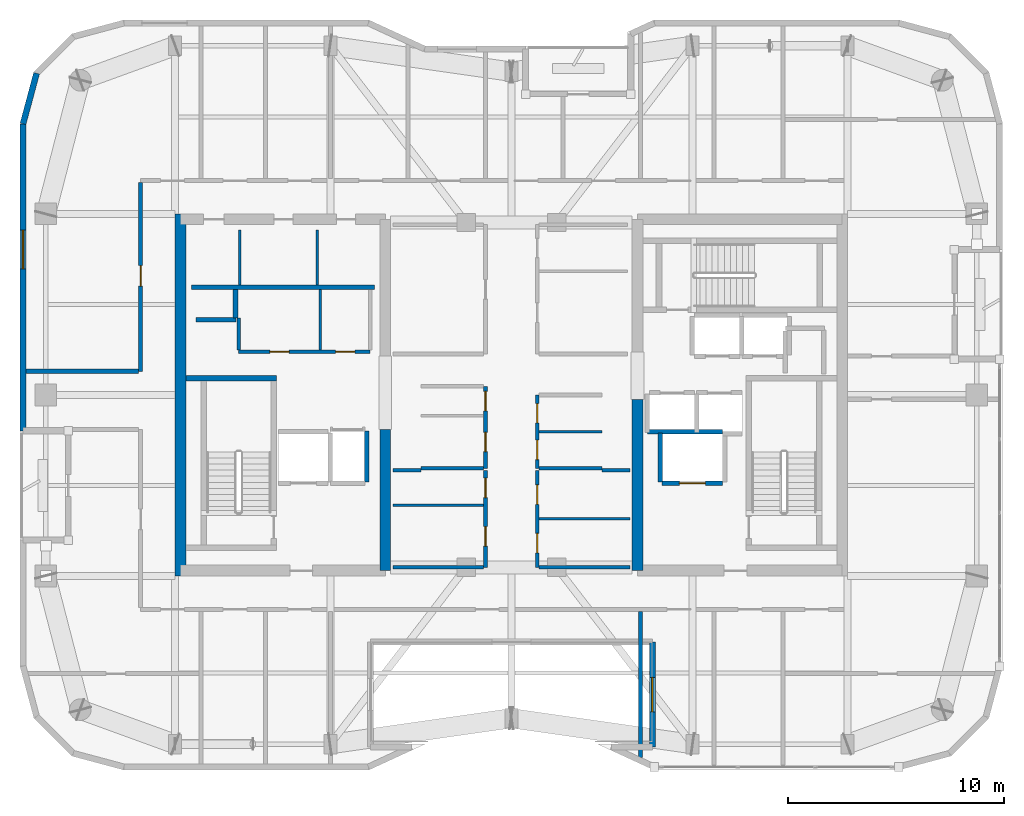
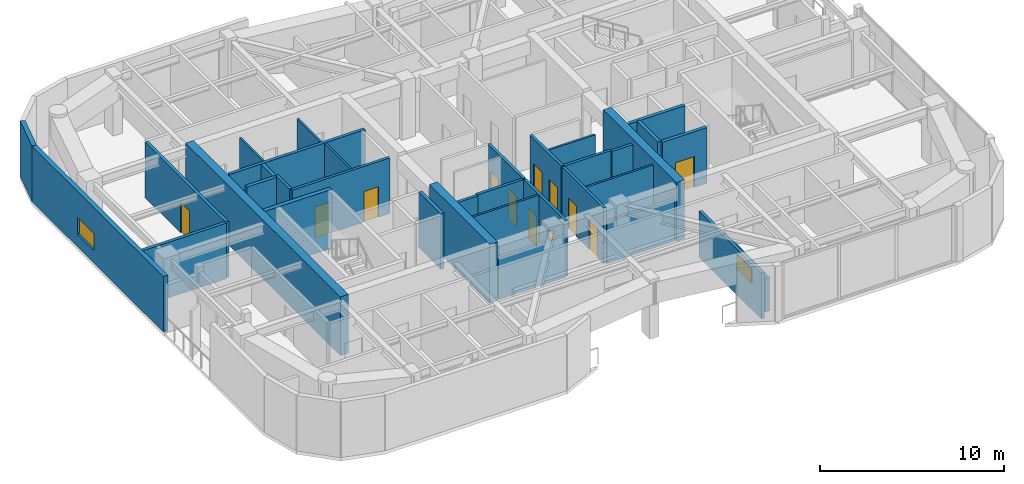
# One storey, part 11 of 16: 35 walls, 12 doors, 2 windows, 14 openings.
"""IFC4 building model written with IfcOpenShell, lengths in metres."""

from ifc_helpers import new_model, si_unit, direction, frame, frame_2d, origin, place, context, subcontext, project, spatial, rectangle, extrude, material, layer, layer_set, type_object, element, fill, save


model = new_model("IFC4")

# Units and contexts
model_context = context("Model", 3, precision=1e-05, world=origin(), true_north=direction((0.0, 1.0)))
body_context = subcontext(model_context, "Body", "Model", "MODEL_VIEW")
ifc_project = project(units=[si_unit("LENGTHUNIT", "METRE"), si_unit("AREAUNIT", "SQUARE_METRE"), si_unit("VOLUMEUNIT", "CUBIC_METRE"), si_unit("PLANEANGLEUNIT", "RADIAN"), si_unit("MASSUNIT", "GRAM", prefix="KILO")], contexts=[model_context])

# Site, building, storey
site_placement = place(None, origin())
site = spatial("IfcSite", under=ifc_project, at=site_placement, CompositionType="ELEMENT")
building_placement = place(site_placement, origin())
building = spatial("IfcBuilding", under=site, at=building_placement, Name="Kiyonajd Concourse Tower", CompositionType="ELEMENT")
storey_placement = place(building_placement, frame((0.0, 0.0, 298.5)))
storey = spatial("IfcBuildingStorey", under=building, at=storey_placement, Name="L75", CompositionType="ELEMENT", Elevation=298.5)

# Walls
ifc_material_1 = material(Name="Concrete C60/75", Category="concrete")
ifc_layer_1 = layer(ifc_material_1, 0.5)
ifc_layer_set_1 = layer_set([ifc_layer_1], Name="Concrete C60/75")
wall_type_1 = type_object("IfcWallType", Name="WL-CORE-500", PredefinedType="SHEAR", material=ifc_layer_set_1)
wall_1_placement = place(storey_placement, frame((32.64990234375, 27.60009765625, 0.0), z_axis=(0.0, 0.0, 1.0), x_axis=(0.0, 1.0, 0.0)))
element("IfcWall", 1, at=wall_1_placement, inside=storey, type_object=wall_type_1, Name="L75 West Core Outer Shear Wall", PredefinedType="SHEAR", context=body_context, shape_type="SweptSolid", body=[
    extrude(rectangle(XDim=16.7998046875, YDim=0.5, at=frame_2d((8.39990234375, 0.0))), origin(), (0.0, 0.0, 1.0), 3.89990234375),
])
wall_2_placement = place(storey_placement, frame((42.14990234375, 27.85009765625, 0.0), z_axis=(0.0, 0.0, 1.0), x_axis=(0.0, 1.0, 0.0)))
element("IfcWall", 2, at=wall_2_placement, inside=storey, type_object=wall_type_1, Name="L75 West Core Inner South Shear Wall", PredefinedType="SHEAR", context=body_context, shape_type="SweptSolid", body=[
    extrude(rectangle(XDim=6.5498046875, YDim=0.5, at=frame_2d((3.27490234375, 0.0))), origin(), (0.0, 0.0, 1.0), 3.89990234375),
])
wall_3_placement = place(storey_placement, frame((53.85009765625, 27.85009765625, 0.0), z_axis=(0.0, 0.0, 1.0), x_axis=(0.0, 1.0, 0.0)))
element("IfcWall", 3, at=wall_3_placement, inside=storey, type_object=wall_type_1, Name="L75 East Core Inner South Shear Wall", PredefinedType="SHEAR", context=body_context, shape_type="SweptSolid", body=[
    extrude(rectangle(XDim=7.949951171875, YDim=0.5, at=frame_2d((3.97509765625, 0.0))), origin(), (0.0, 0.0, 1.0), 3.89990234375),
])

# Wall, opening, window
ifc_material_2 = material(Name="Precast concrete C50/60", Category="concrete")
ifc_layer_2 = layer(ifc_material_2, 0.280029296875)
ifc_layer_set_2 = layer_set([ifc_layer_2], Name="Precast concrete C50/60")
wall_type_2 = type_object("IfcWallType", Name="WL-EXT-280", PredefinedType="SOLIDWALL", material=ifc_layer_set_2)
wall_4_placement = place(storey_placement, frame((54.5400390625, 19.659912109375, 0.0), z_axis=(0.0, 0.0, 1.0), x_axis=(0.0, 1.0, 0.0)))
wall_4 = element("IfcWall", 4, at=wall_4_placement, inside=storey, type_object=wall_type_2, Name="L75 Exterior Concrete Frame Wall 12", PredefinedType="SOLIDWALL", context=body_context, shape_type="SweptSolid", body=[
    extrude(rectangle(XDim=4.880126953125, YDim=0.280029296875, at=frame_2d((2.43994140625, 0.0))), origin(), (0.0, 0.0, 1.0), 2.264892578125),
])
opening_1_placement = place(wall_4_placement, frame((1.639892578125, 0.0, 0.85009765625)))
opening_1 = element("IfcOpeningElement", 5, at=opening_1_placement, cuts=wall_4, Name="Opening WN6", PredefinedType="OPENING", context=body_context, shape_type="SweptSolid", body=[
    extrude(rectangle(XDim=1.60009765625, YDim=1.0, at=frame_2d((0.800048828125, 0.5))), frame((0.0, 0.14990234375, 0.0), z_axis=(0.0, -1.0, 0.0), x_axis=(1.0, 0.0, 0.0)), (0.0, 0.0, 1.0), 0.300048828125),
])
ifc_material_3 = material(Name="Double Low-E Insulated Glass", Category="glass")
window_type_1 = type_object("IfcWindowType", Name="WN-VIS-1600x1000", PartitioningType="SINGLE_PANEL", PredefinedType="WINDOW", material=ifc_material_3)
window_1_placement = place(opening_1_placement, origin())
window_1 = element("IfcWindow", 6, at=window_1_placement, inside=storey, type_object=window_type_1, Name="L75 Modular Facade Vision Window 12", OverallHeight=1.0, OverallWidth=1.60009765625, PartitioningType="SINGLE_PANEL", PredefinedType="WINDOW", context=body_context, shape_type="SweptSolid", body=[
    extrude(rectangle(XDim=1.60009765625, YDim=1.0, at=frame_2d((0.800048828125, 0.5))), frame((0.0, 0.030029296875, 0.0), z_axis=(0.0, -1.0, 0.0), x_axis=(1.0, 0.0, 0.0)), (0.0, 0.0, 1.0), 0.06005859375),
])
fill(opening_1, window_1)

wall_5_placement = place(storey_placement, frame((25.340087890625, 34.340087890625, 0.0), z_axis=(0.0, 0.0, 1.0), x_axis=(0.0, 1.0, 0.0)))
wall_5 = element("IfcWall", 7, at=wall_5_placement, inside=storey, type_object=wall_type_2, Name="L75 Exterior Concrete Frame Wall 25", PredefinedType="SOLIDWALL", context=body_context, shape_type="SweptSolid", body=[
    extrude(rectangle(XDim=14.241455078125, YDim=0.280029296875, at=frame_2d((7.12060546875, 0.0))), origin(), (0.0, 0.0, 1.0), 3.679931640625),
])
opening_2_placement = place(wall_5_placement, frame((7.506103515625, 0.0, 0.85009765625)))
opening_2 = element("IfcOpeningElement", 8, at=opening_2_placement, cuts=wall_5, Name="Opening WN1", PredefinedType="OPENING", context=body_context, shape_type="SweptSolid", body=[
    extrude(rectangle(XDim=1.800048828125, YDim=1.10009765625, at=frame_2d((0.89990234375, 0.550048828125))), frame((0.0, 0.14990234375, 0.0), z_axis=(0.0, -1.0, 0.0), x_axis=(1.0, 0.0, 0.0)), (0.0, 0.0, 1.0), 0.300048828125),
])
window_type_2 = type_object("IfcWindowType", Name="WN-VIS-1800x1100", PartitioningType="SINGLE_PANEL", PredefinedType="WINDOW", material=ifc_material_3)
window_2_placement = place(opening_2_placement, origin())
window_2 = element("IfcWindow", 9, at=window_2_placement, inside=storey, type_object=window_type_2, Name="L75 Modular Facade Vision Window 25", OverallHeight=1.10009765625, OverallWidth=1.800048828125, PartitioningType="SINGLE_PANEL", PredefinedType="WINDOW", context=body_context, shape_type="SweptSolid", body=[
    extrude(rectangle(XDim=1.800048828125, YDim=1.10009765625, at=frame_2d((0.89990234375, 0.550048828125))), frame((0.0, 0.030029296875, 0.0), z_axis=(0.0, -1.0, 0.0), x_axis=(1.0, 0.0, 0.0)), (0.0, 0.0, 1.0), 0.06005859375),
])
fill(opening_2, window_2)

# Walls
wall_6_placement = place(storey_placement, frame((25.340087890625, 48.58154296875, 0.0), z_axis=(0.0, 0.0, 1.0), x_axis=(0.258751159445, 0.965944013639, 0.0)))
element("IfcWall", 10, at=wall_6_placement, inside=storey, type_object=wall_type_2, Name="L75 Exterior Concrete Frame Wall 26", PredefinedType="SOLIDWALL", context=body_context, shape_type="SweptSolid", body=[
    extrude(rectangle(XDim=2.4287109375, YDim=0.280029296875, at=frame_2d((1.21435546875, 0.0))), origin(), (0.0, 0.0, 1.0), 3.679931640625),
])
ifc_material_4 = material(Name="Gypsum Board on Cold-Formed Steel Stud", Category="steel")
ifc_layer_3 = layer(ifc_material_4, 0.125)
ifc_layer_set_3 = layer_set([ifc_layer_3], Name="Gypsum Board on Cold-Formed Steel Stud")
wall_type_3 = type_object("IfcWallType", Name="WL-PART-125", PredefinedType="PARTITIONING", material=ifc_layer_set_3)
for number, where, z_axis, x_axis, name in (
    (11, (35.39990234375, 41.094970703125, 0.0), (0.0, 0.0, 1.0), (0.0, 1.0, 0.0), "L75 Interior Partition Wall"),
    (12, (39.0, 41.094970703125, 0.0), (0.0, 0.0, 1.0), (0.0, 1.0, 0.0), "L75 Interior Partition Wall"),
):
    element("IfcWall", number, at=place(storey_placement, frame(where, z_axis=z_axis, x_axis=x_axis)), inside=storey, type_object=wall_type_3, Name=name, PredefinedType="PARTITIONING", context=body_context, shape_type="SweptSolid", body=[
        extrude(rectangle(XDim=2.554931640625, YDim=0.125, at=frame_2d((1.27734375, 0.0))), origin(), (0.0, 0.0, 1.0), 3.679931640625),
    ])
wall_7_placement = place(storey_placement, frame((39.132080078125, 38.0869140625, 0.0), z_axis=(0.0, 0.0, 1.0), x_axis=(0.0, 1.0, 0.0)))
element("IfcWall", 13, at=wall_7_placement, inside=storey, type_object=wall_type_3, Name="L75 Interior Partition Wall", PredefinedType="PARTITIONING", context=body_context, shape_type="SweptSolid", body=[
    extrude(rectangle(XDim=2.81298828125, YDim=0.125, at=frame_2d((1.406494140625, 0.0))), origin(), (0.0, 0.0, 1.0), 3.679931640625),
])
wall_8_placement = place(storey_placement, frame((49.287109375, 34.300048828125, 0.0), z_axis=(0.0, 0.0, 1.0), x_axis=(1.0, 0.0, 0.0)))
element("IfcWall", 14, at=wall_8_placement, inside=storey, type_object=wall_type_3, Name="L75 Interior Partition Wall", PredefinedType="PARTITIONING", context=body_context, shape_type="SweptSolid", body=[
    extrude(rectangle(XDim=2.912841796875, YDim=0.125, at=frame_2d((1.45654296875, 0.0))), origin(), (0.0, 0.0, 1.0), 3.679931640625),
])
for number, where, z_axis, x_axis, name in (
    (15, (42.5, 30.8798828125, 0.0), (0.0, 0.0, 1.0), (1.0, 0.0, 0.0), "L75 Interior Partition Wall"),
    (16, (49.287109375, 30.25, 0.0), (0.0, 0.0, 1.0), (1.0, 0.0, 0.0), "L75 Interior Partition Wall"),
):
    element("IfcWall", number, at=place(storey_placement, frame(where, z_axis=z_axis, x_axis=x_axis)), inside=storey, type_object=wall_type_3, Name=name, PredefinedType="PARTITIONING", context=body_context, shape_type="SweptSolid", body=[
        extrude(rectangle(XDim=4.212890625, YDim=0.125, at=frame_2d((2.1064453125, 0.0))), origin(), (0.0, 0.0, 1.0), 3.679931640625),
    ])
ifc_layer_4 = layer(ifc_material_4, 0.18994140625)
ifc_layer_set_4 = layer_set([ifc_layer_4], Name="Gypsum Board on Cold-Formed Steel Stud")
wall_type_4 = type_object("IfcWallType", Name="WL-PLMB-190", PredefinedType="PLUMBINGWALL", material=ifc_layer_set_4)
wall_9_placement = place(storey_placement, frame((33.14990234375, 41.0, 0.0), z_axis=(0.0, 0.0, 1.0), x_axis=(1.0, 0.0, 0.0)))
element("IfcWall", 17, at=wall_9_placement, inside=storey, type_object=wall_type_4, Name="L75 Interior Partition Wall", PredefinedType="PLUMBINGWALL", context=body_context, shape_type="SweptSolid", body=[
    extrude(rectangle(XDim=8.5, YDim=0.18994140625, at=frame_2d((4.25, 0.0))), origin(), (0.0, 0.0, 1.0), 3.679931640625),
])

# Wall, opening, door
wall_10_placement = place(storey_placement, frame((30.800048828125, 37.10009765625, 0.0), z_axis=(0.0, 0.0, 1.0), x_axis=(0.0, 1.0, 0.0)))
wall_10 = element("IfcWall", 18, at=wall_10_placement, inside=storey, type_object=wall_type_4, Name="L75 Interior Partition Wall", PredefinedType="PLUMBINGWALL", context=body_context, shape_type="SweptSolid", body=[
    extrude(rectangle(XDim=8.7529296875, YDim=0.18994140625, at=frame_2d((4.37646484375, 0.0))), origin(), (0.0, 0.0, 1.0), 3.679931640625),
])
opening_3_placement = place(wall_10_placement, frame((3.949951171875, 0.0, 0.0)))
opening_3 = element("IfcOpeningElement", 19, at=opening_3_placement, cuts=wall_10, Name="Opening DI1", PredefinedType="OPENING", context=body_context, shape_type="SweptSolid", body=[
    extrude(rectangle(XDim=0.949951171875, YDim=2.0400390625, at=frame_2d((0.47509765625, 1.02001953125))), frame((0.0, 0.10498046875, 0.0), z_axis=(0.0, -1.0, 0.0), x_axis=(1.0, 0.0, 0.0)), (0.0, 0.0, 1.0), 0.2099609375),
])
ifc_material_5 = material(Name="Natural Oak Acoustic Timber Veneer", Category="wood")
door_type_1 = type_object("IfcDoorType", Name="DR-INT-950", OperationType="NOTDEFINED", PredefinedType="DOOR", material=ifc_material_5)
door_1_placement = place(opening_3_placement, origin())
door_1 = element("IfcDoor", 20, at=door_1_placement, inside=storey, type_object=door_type_1, Name="L75 Interior Door", OperationType="SINGLE_SWING_RIGHT", OverallHeight=2.0400390625, OverallWidth=0.949951171875, PredefinedType="DOOR", context=body_context, shape_type="SweptSolid", body=[
    extrude(rectangle(XDim=0.949951171875, YDim=2.0400390625, at=frame_2d((0.47509765625, 1.02001953125))), frame((0.0, 0.02490234375, 0.0), z_axis=(0.0, -1.0, 0.0), x_axis=(1.0, 0.0, 0.0)), (0.0, 0.0, 1.0), 0.050048828125),
])
fill(opening_3, door_1)

# Walls
wall_11_placement = place(storey_placement, frame((54.0, 19.18310546875, 0.0), z_axis=(0.0, 0.0, 1.0), x_axis=(0.0, 1.0, 0.0)))
element("IfcWall", 21, at=wall_11_placement, inside=storey, type_object=wall_type_4, Name="L75 Interior Partition Wall", PredefinedType="PLUMBINGWALL", context=body_context, shape_type="SweptSolid", body=[
    extrude(rectangle(XDim=6.769775390625, YDim=0.18994140625, at=frame_2d((3.384765625, 0.0))), origin(), (0.0, 0.0, 1.0), 3.04296875),
])
wall_12_placement = place(storey_placement, frame((25.47509765625, 37.10009765625, 0.0), z_axis=(0.0, 0.0, 1.0), x_axis=(1.0, 0.0, 0.0)))
element("IfcWall", 22, at=wall_12_placement, inside=storey, type_object=wall_type_4, Name="L75 Interior Partition Wall", PredefinedType="PLUMBINGWALL", context=body_context, shape_type="SweptSolid", body=[
    extrude(rectangle(XDim=5.227783203125, YDim=0.18994140625, at=frame_2d((2.61376953125, 0.0))), origin(), (0.0, 0.0, 1.0), 3.679931640625),
])
ifc_layer_5 = layer(ifc_material_4, 0.2099609375)
ifc_layer_set_5 = layer_set([ifc_layer_5], Name="Gypsum Board on Cold-Formed Steel Stud")
wall_type_5 = type_object("IfcWallType", Name="WL-SHAFT-210", PredefinedType="PARTITIONING", material=ifc_layer_set_5)
wall_13_placement = place(storey_placement, frame((33.360107421875, 39.5, 0.0), z_axis=(0.0, 0.0, 1.0), x_axis=(1.0, 0.0, 0.0)))
element("IfcWall", 23, at=wall_13_placement, inside=storey, type_object=wall_type_5, Name="L75 Shaft Enclosure Wall", PredefinedType="PARTITIONING", context=body_context, shape_type="SweptSolid", body=[
    extrude(rectangle(XDim=1.85986328125, YDim=0.2099609375, at=frame_2d((0.929931640625, 0.0))), origin(), (0.0, 0.0, 1.0), 3.679931640625),
])
wall_14_placement = place(storey_placement, frame((35.199951171875, 39.580078125, 0.0), z_axis=(0.0, 0.0, 1.0), x_axis=(0.0, 1.0, 0.0)))
element("IfcWall", 24, at=wall_14_placement, inside=storey, type_object=wall_type_5, Name="L75 Shaft Enclosure Wall", PredefinedType="PARTITIONING", context=body_context, shape_type="SweptSolid", body=[
    extrude(rectangle(XDim=1.31982421875, YDim=0.2099609375, at=frame_2d((0.659912109375, 0.0))), origin(), (0.0, 0.0, 1.0), 3.679931640625),
])

# Wall, opening, door
wall_15_placement = place(storey_placement, frame((55.0, 31.89990234375, 0.0), z_axis=(0.0, 0.0, 1.0), x_axis=(1.0, 0.0, 0.0)))
wall_15 = element("IfcWall", 25, at=wall_15_placement, inside=storey, type_object=wall_type_5, Name="L75 Shaft Enclosure Wall", PredefinedType="PARTITIONING", context=body_context, shape_type="SweptSolid", body=[
    extrude(rectangle(XDim=2.800048828125, YDim=0.2099609375, at=frame_2d((1.39990234375, 0.0))), origin(), (0.0, 0.0, 1.0), 3.679931640625),
])
opening_4_placement = place(wall_15_placement, frame((0.800048828125, 0.0, 0.0)))
opening_4 = element("IfcOpeningElement", 26, at=opening_4_placement, cuts=wall_15, Name="Opening LD2", PredefinedType="OPENING", context=body_context, shape_type="SweptSolid", body=[
    extrude(rectangle(XDim=1.199951171875, YDim=2.0400390625, at=frame_2d((0.60009765625, 1.02001953125))), frame((0.0, 0.114990234375, 0.0), z_axis=(0.0, -1.0, 0.0), x_axis=(1.0, 0.0, 0.0)), (0.0, 0.0, 1.0), 0.22998046875),
])
ifc_material_6 = material(Name="Brushed Stainless Steel Cab Assembly", Category="steel")
door_type_2 = type_object("IfcDoorType", Name="DR-LD-1200", OperationType="DOUBLE_DOOR_SLIDING", PredefinedType="DOOR", material=ifc_material_6)
door_2_placement = place(opening_4_placement, origin())
door_2 = element("IfcDoor", 27, at=door_2_placement, inside=storey, type_object=door_type_2, Name="L75 Lift FFL2 Sliding Landing Door", OperationType="DOUBLE_DOOR_SLIDING", OverallHeight=2.0400390625, OverallWidth=1.199951171875, PredefinedType="DOOR", context=body_context, shape_type="SweptSolid", body=[
    extrude(rectangle(XDim=1.199951171875, YDim=2.0400390625, at=frame_2d((0.60009765625, 1.02001953125))), frame((0.0, 0.02490234375, 0.0), z_axis=(0.0, -1.0, 0.0), x_axis=(1.0, 0.0, 0.0)), (0.0, 0.0, 1.0), 0.050048828125),
])
fill(opening_4, door_2)

# Walls
wall_16_placement = place(storey_placement, frame((54.320068359375, 34.300048828125, 0.0), z_axis=(0.0, 0.0, 1.0), x_axis=(1.0, 0.0, 0.0)))
element("IfcWall", 28, at=wall_16_placement, inside=storey, type_object=wall_type_5, Name="L75 Shaft Enclosure Wall", PredefinedType="PARTITIONING", context=body_context, shape_type="SweptSolid", body=[
    extrude(rectangle(XDim=3.47998046875, YDim=0.2099609375, at=frame_2d((1.739990234375, 0.0))), origin(), (0.0, 0.0, 1.0), 3.679931640625),
])
wall_17_placement = place(storey_placement, frame((54.89990234375, 31.9599609375, 0.0), z_axis=(0.0, 0.0, 1.0), x_axis=(0.0, 1.0, 0.0)))
element("IfcWall", 29, at=wall_17_placement, inside=storey, type_object=wall_type_5, Name="L75 Shaft Enclosure Wall", PredefinedType="PARTITIONING", context=body_context, shape_type="SweptSolid", body=[
    extrude(rectangle(XDim=2.280029296875, YDim=0.2099609375, at=frame_2d((1.14013671875, 0.0))), origin(), (0.0, 0.0, 1.0), 3.679931640625),
])
wall_18_placement = place(storey_placement, frame((41.300048828125, 31.9599609375, 0.0), z_axis=(0.0, 0.0, 1.0), x_axis=(0.0, 1.0, 0.0)))
element("IfcWall", 30, at=wall_18_placement, inside=storey, type_object=wall_type_5, Name="L75 Shaft Enclosure Wall", PredefinedType="PARTITIONING", context=body_context, shape_type="SweptSolid", body=[
    extrude(rectangle(XDim=2.380126953125, YDim=0.2099609375, at=frame_2d((1.18994140625, 0.0))), origin(), (0.0, 0.0, 1.0), 3.679931640625),
])

# Wall, openings, doors
ifc_layer_6 = layer(ifc_material_4, 0.169921875)
ifc_layer_set_6 = layer_set([ifc_layer_6], Name="Gypsum Board on Cold-Formed Steel Stud")
wall_type_6 = type_object("IfcWallType", Name="WL-SMK-170", PredefinedType="PARTITIONING", material=ifc_layer_set_6)
wall_19_placement = place(storey_placement, frame((35.35009765625, 38.0, 0.0), z_axis=(0.0, 0.0, 1.0), x_axis=(1.0, 0.0, 0.0)))
wall_19 = element("IfcWall", 31, at=wall_19_placement, inside=storey, type_object=wall_type_6, Name="L75 Interior Partition Wall", PredefinedType="PARTITIONING", context=body_context, shape_type="SweptSolid", body=[
    extrude(rectangle(XDim=6.099853515625, YDim=0.169921875, at=frame_2d((3.0498046875, 0.0))), origin(), (0.0, 0.0, 1.0), 3.679931640625),
])
opening_5_placement = place(wall_19_placement, frame((1.44091796875, 0.0, 0.0)))
opening_5 = element("IfcOpeningElement", 32, at=opening_5_placement, cuts=wall_19, Name="Opening DF4", PredefinedType="OPENING", context=body_context, shape_type="SweptSolid", body=[
    extrude(rectangle(XDim=0.89990234375, YDim=2.02001953125, at=frame_2d((0.449951171875, 1.010009765625))), frame((0.0, 0.094970703125, 0.0), z_axis=(0.0, -1.0, 0.0), x_axis=(1.0, 0.0, 0.0)), (0.0, 0.0, 1.0), 0.18994140625),
])
opening_6_placement = place(wall_19_placement, frame((4.490966796875, 0.0, 0.0)))
opening_6 = element("IfcOpeningElement", 33, at=opening_6_placement, cuts=wall_19, Name="Opening DF4", PredefinedType="OPENING", context=body_context, shape_type="SweptSolid", body=[
    extrude(rectangle(XDim=0.89990234375, YDim=2.02001953125, at=frame_2d((0.449951171875, 1.010009765625))), frame((0.0, 0.094970703125, 0.0), z_axis=(0.0, -1.0, 0.0), x_axis=(1.0, 0.0, 0.0)), (0.0, 0.0, 1.0), 0.18994140625),
])
door_type_3 = type_object("IfcDoorType", Name="DR-FD60-900", OperationType="NOTDEFINED", PredefinedType="DOOR", material=ifc_material_6)
door_3_placement = place(opening_5_placement, origin())
door_3 = element("IfcDoor", 34, at=door_3_placement, inside=storey, type_object=door_type_3, Name="L75 Interior Door", OperationType="SINGLE_SWING_RIGHT", OverallHeight=2.02001953125, OverallWidth=0.89990234375, PredefinedType="DOOR", context=body_context, shape_type="SweptSolid", body=[
    extrude(rectangle(XDim=0.89990234375, YDim=2.02001953125, at=frame_2d((0.449951171875, 1.010009765625))), frame((0.0, 0.02490234375, 0.0), z_axis=(0.0, -1.0, 0.0), x_axis=(1.0, 0.0, 0.0)), (0.0, 0.0, 1.0), 0.050048828125),
])
fill(opening_5, door_3)
door_4_placement = place(opening_6_placement, origin())
door_4 = element("IfcDoor", 35, at=door_4_placement, inside=storey, type_object=door_type_3, Name="L75 Interior Door", OperationType="SINGLE_SWING_LEFT", OverallHeight=2.02001953125, OverallWidth=0.89990234375, PredefinedType="DOOR", context=body_context, shape_type="SweptSolid", body=[
    extrude(rectangle(XDim=0.89990234375, YDim=2.02001953125, at=frame_2d((0.449951171875, 1.010009765625))), frame((0.0, 0.02490234375, 0.0), z_axis=(0.0, -1.0, 0.0), x_axis=(1.0, 0.0, 0.0)), (0.0, 0.0, 1.0), 0.050048828125),
])
fill(opening_6, door_4)

# Wall
wall_20_placement = place(storey_placement, frame((35.35009765625, 38.0869140625, 0.0), z_axis=(0.0, 0.0, 1.0), x_axis=(0.0, 1.0, 0.0)))
element("IfcWall", 36, at=wall_20_placement, inside=storey, type_object=wall_type_6, Name="L75 Interior Partition Wall", PredefinedType="PARTITIONING", context=body_context, shape_type="SweptSolid", body=[
    extrude(rectangle(XDim=1.4931640625, YDim=0.169921875, at=frame_2d((0.74658203125, 0.0))), origin(), (0.0, 0.0, 1.0), 3.679931640625),
])

# Wall, openings, doors
wall_21_placement = place(storey_placement, frame((46.800048828125, 32.60009765625, 0.0), z_axis=(0.0, 0.0, 1.0), x_axis=(0.0, 1.0, 0.0)))
wall_21 = element("IfcWall", 37, at=wall_21_placement, inside=storey, type_object=wall_type_6, Name="L75 Interior Partition Wall", PredefinedType="PARTITIONING", context=body_context, shape_type="SweptSolid", body=[
    extrude(rectangle(XDim=3.7998046875, YDim=0.169921875, at=frame_2d((1.89990234375, 0.0))), origin(), (0.0, 0.0, 1.0), 3.679931640625),
])
opening_7_placement = place(wall_21_placement, frame((0.76611328125, 0.0, 0.0)))
opening_7 = element("IfcOpeningElement", 38, at=opening_7_placement, cuts=wall_21, Name="Opening DF4", PredefinedType="OPENING", context=body_context, shape_type="SweptSolid", body=[
    extrude(rectangle(XDim=0.89990234375, YDim=2.02001953125, at=frame_2d((0.449951171875, 1.010009765625))), frame((0.0, 0.094970703125, 0.0), z_axis=(0.0, -1.0, 0.0), x_axis=(1.0, 0.0, 0.0)), (0.0, 0.0, 1.0), 0.18994140625),
])
opening_8_placement = place(wall_21_placement, frame((2.666015625, 0.0, 0.0)))
opening_8 = element("IfcOpeningElement", 39, at=opening_8_placement, cuts=wall_21, Name="Opening DF4", PredefinedType="OPENING", context=body_context, shape_type="SweptSolid", body=[
    extrude(rectangle(XDim=0.89990234375, YDim=2.02001953125, at=frame_2d((0.449951171875, 1.010009765625))), frame((0.0, 0.094970703125, 0.0), z_axis=(0.0, -1.0, 0.0), x_axis=(1.0, 0.0, 0.0)), (0.0, 0.0, 1.0), 0.18994140625),
])
door_5_placement = place(opening_7_placement, origin())
door_5 = element("IfcDoor", 40, at=door_5_placement, inside=storey, type_object=door_type_3, Name="L75 Interior Door", OperationType="SINGLE_SWING_RIGHT", OverallHeight=2.02001953125, OverallWidth=0.89990234375, PredefinedType="DOOR", context=body_context, shape_type="SweptSolid", body=[
    extrude(rectangle(XDim=0.89990234375, YDim=2.02001953125, at=frame_2d((0.449951171875, 1.010009765625))), frame((0.0, 0.02490234375, 0.0), z_axis=(0.0, -1.0, 0.0), x_axis=(1.0, 0.0, 0.0)), (0.0, 0.0, 1.0), 0.050048828125),
])
fill(opening_7, door_5)
door_6_placement = place(opening_8_placement, origin())
door_6 = element("IfcDoor", 41, at=door_6_placement, inside=storey, type_object=door_type_3, Name="L75 Interior Door", OperationType="SINGLE_SWING_LEFT", OverallHeight=2.02001953125, OverallWidth=0.89990234375, PredefinedType="DOOR", context=body_context, shape_type="SweptSolid", body=[
    extrude(rectangle(XDim=0.89990234375, YDim=2.02001953125, at=frame_2d((0.449951171875, 1.010009765625))), frame((0.0, 0.02490234375, 0.0), z_axis=(0.0, -1.0, 0.0), x_axis=(1.0, 0.0, 0.0)), (0.0, 0.0, 1.0), 0.050048828125),
])
fill(opening_8, door_6)

# Wall
wall_22_placement = place(storey_placement, frame((43.800048828125, 32.60009765625, 0.0), z_axis=(0.0, 0.0, 1.0), x_axis=(1.0, 0.0, 0.0)))
element("IfcWall", 42, at=wall_22_placement, inside=storey, type_object=wall_type_6, Name="L75 Interior Partition Wall", PredefinedType="PARTITIONING", context=body_context, shape_type="SweptSolid", body=[
    extrude(rectangle(XDim=2.912841796875, YDim=0.169921875, at=frame_2d((1.45654296875, 0.0))), origin(), (0.0, 0.0, 1.0), 3.679931640625),
])

# Wall, openings, doors
wall_23_placement = place(storey_placement, frame((49.199951171875, 32.60009765625, 0.0), z_axis=(0.0, 0.0, 1.0), x_axis=(0.0, 1.0, 0.0)))
wall_23 = element("IfcWall", 43, at=wall_23_placement, inside=storey, type_object=wall_type_6, Name="L75 Interior Partition Wall", PredefinedType="PARTITIONING", context=body_context, shape_type="SweptSolid", body=[
    extrude(rectangle(XDim=3.39990234375, YDim=0.169921875, at=frame_2d((1.699951171875, 0.0))), origin(), (0.0, 0.0, 1.0), 3.679931640625),
])
opening_9_placement = place(wall_23_placement, frame((0.39990234375, 0.0, 0.0)))
opening_9 = element("IfcOpeningElement", 44, at=opening_9_placement, cuts=wall_23, Name="Opening DI2", PredefinedType="OPENING", context=body_context, shape_type="SweptSolid", body=[
    extrude(rectangle(XDim=0.89990234375, YDim=2.02001953125, at=frame_2d((0.449951171875, 1.010009765625))), frame((0.0, 0.094970703125, 0.0), z_axis=(0.0, -1.0, 0.0), x_axis=(1.0, 0.0, 0.0)), (0.0, 0.0, 1.0), 0.18994140625),
])
opening_10_placement = place(wall_23_placement, frame((2.10009765625, 0.0, 0.0)))
opening_10 = element("IfcOpeningElement", 45, at=opening_10_placement, cuts=wall_23, Name="Opening DI2", PredefinedType="OPENING", context=body_context, shape_type="SweptSolid", body=[
    extrude(rectangle(XDim=0.89990234375, YDim=2.02001953125, at=frame_2d((0.449951171875, 1.010009765625))), frame((0.0, 0.094970703125, 0.0), z_axis=(0.0, -1.0, 0.0), x_axis=(1.0, 0.0, 0.0)), (0.0, 0.0, 1.0), 0.18994140625),
])
door_type_4 = type_object("IfcDoorType", Name="DR-INT-900", OperationType="NOTDEFINED", PredefinedType="DOOR", material=ifc_material_5)
door_7_placement = place(opening_9_placement, origin())
door_7 = element("IfcDoor", 46, at=door_7_placement, inside=storey, type_object=door_type_4, Name="L75 Interior Door", OperationType="SINGLE_SWING_RIGHT", OverallHeight=2.02001953125, OverallWidth=0.89990234375, PredefinedType="DOOR", context=body_context, shape_type="SweptSolid", body=[
    extrude(rectangle(XDim=0.89990234375, YDim=2.02001953125, at=frame_2d((0.449951171875, 1.010009765625))), frame((0.0, 0.02490234375, 0.0), z_axis=(0.0, -1.0, 0.0), x_axis=(1.0, 0.0, 0.0)), (0.0, 0.0, 1.0), 0.050048828125),
])
fill(opening_9, door_7)
door_8_placement = place(opening_10_placement, origin())
door_8 = element("IfcDoor", 47, at=door_8_placement, inside=storey, type_object=door_type_4, Name="L75 Interior Door", OperationType="SINGLE_SWING_LEFT", OverallHeight=2.02001953125, OverallWidth=0.89990234375, PredefinedType="DOOR", context=body_context, shape_type="SweptSolid", body=[
    extrude(rectangle(XDim=0.89990234375, YDim=2.02001953125, at=frame_2d((0.449951171875, 1.010009765625))), frame((0.0, 0.02490234375, 0.0), z_axis=(0.0, -1.0, 0.0), x_axis=(1.0, 0.0, 0.0)), (0.0, 0.0, 1.0), 0.050048828125),
])
fill(opening_10, door_8)

# Wall
wall_24_placement = place(storey_placement, frame((49.287109375, 32.60009765625, 0.0), z_axis=(0.0, 0.0, 1.0), x_axis=(1.0, 0.0, 0.0)))
element("IfcWall", 48, at=wall_24_placement, inside=storey, type_object=wall_type_6, Name="L75 Interior Partition Wall", PredefinedType="PARTITIONING", context=body_context, shape_type="SweptSolid", body=[
    extrude(rectangle(XDim=2.912841796875, YDim=0.169921875, at=frame_2d((1.45654296875, 0.0))), origin(), (0.0, 0.0, 1.0), 3.679931640625),
])

# Wall, openings, doors
wall_25_placement = place(storey_placement, frame((46.800048828125, 28.0, 0.0), z_axis=(0.0, 0.0, 1.0), x_axis=(0.0, 1.0, 0.0)))
wall_25 = element("IfcWall", 49, at=wall_25_placement, inside=storey, type_object=wall_type_6, Name="L75 Interior Partition Wall", PredefinedType="PARTITIONING", context=body_context, shape_type="SweptSolid", body=[
    extrude(rectangle(XDim=4.5, YDim=0.169921875, at=frame_2d((2.25, 0.0))), origin(), (0.0, 0.0, 1.0), 3.679931640625),
])
opening_11_placement = place(wall_25_placement, frame((0.989990234375, 0.0, 0.0)))
opening_11 = element("IfcOpeningElement", 50, at=opening_11_placement, cuts=wall_25, Name="Opening DF4", PredefinedType="OPENING", context=body_context, shape_type="SweptSolid", body=[
    extrude(rectangle(XDim=0.89990234375, YDim=2.02001953125, at=frame_2d((0.449951171875, 1.010009765625))), frame((0.0, 0.094970703125, 0.0), z_axis=(0.0, -1.0, 0.0), x_axis=(1.0, 0.0, 0.0)), (0.0, 0.0, 1.0), 0.18994140625),
])
opening_12_placement = place(wall_25_placement, frame((3.239990234375, 0.0, 0.0)))
opening_12 = element("IfcOpeningElement", 51, at=opening_12_placement, cuts=wall_25, Name="Opening DF4", PredefinedType="OPENING", context=body_context, shape_type="SweptSolid", body=[
    extrude(rectangle(XDim=0.89990234375, YDim=2.02001953125, at=frame_2d((0.449951171875, 1.010009765625))), frame((0.0, 0.094970703125, 0.0), z_axis=(0.0, -1.0, 0.0), x_axis=(1.0, 0.0, 0.0)), (0.0, 0.0, 1.0), 0.18994140625),
])
door_9_placement = place(opening_11_placement, origin())
door_9 = element("IfcDoor", 52, at=door_9_placement, inside=storey, type_object=door_type_3, Name="L75 Interior Door", OperationType="SINGLE_SWING_RIGHT", OverallHeight=2.02001953125, OverallWidth=0.89990234375, PredefinedType="DOOR", context=body_context, shape_type="SweptSolid", body=[
    extrude(rectangle(XDim=0.89990234375, YDim=2.02001953125, at=frame_2d((0.449951171875, 1.010009765625))), frame((0.0, 0.02490234375, 0.0), z_axis=(0.0, -1.0, 0.0), x_axis=(1.0, 0.0, 0.0)), (0.0, 0.0, 1.0), 0.050048828125),
])
fill(opening_11, door_9)
door_10_placement = place(opening_12_placement, origin())
door_10 = element("IfcDoor", 53, at=door_10_placement, inside=storey, type_object=door_type_3, Name="L75 Interior Door", OperationType="SINGLE_SWING_LEFT", OverallHeight=2.02001953125, OverallWidth=0.89990234375, PredefinedType="DOOR", context=body_context, shape_type="SweptSolid", body=[
    extrude(rectangle(XDim=0.89990234375, YDim=2.02001953125, at=frame_2d((0.449951171875, 1.010009765625))), frame((0.0, 0.02490234375, 0.0), z_axis=(0.0, -1.0, 0.0), x_axis=(1.0, 0.0, 0.0)), (0.0, 0.0, 1.0), 0.050048828125),
])
fill(opening_12, door_10)

# Walls
wall_26_placement = place(storey_placement, frame((42.5, 28.0, 0.0), z_axis=(0.0, 0.0, 1.0), x_axis=(1.0, 0.0, 0.0)))
element("IfcWall", 54, at=wall_26_placement, inside=storey, type_object=wall_type_6, Name="L75 Interior Partition Wall", PredefinedType="PARTITIONING", context=body_context, shape_type="SweptSolid", body=[
    extrude(rectangle(XDim=4.212890625, YDim=0.169921875, at=frame_2d((2.1064453125, 0.0))), origin(), (0.0, 0.0, 1.0), 2.764892578125),
])
wall_27_placement = place(storey_placement, frame((42.5, 32.5, 0.0), z_axis=(0.0, 0.0, 1.0), x_axis=(1.0, 0.0, 0.0)))
element("IfcWall", 55, at=wall_27_placement, inside=storey, type_object=wall_type_6, Name="L75 Interior Partition Wall", PredefinedType="PARTITIONING", context=body_context, shape_type="SweptSolid", body=[
    extrude(rectangle(XDim=1.300048828125, YDim=0.169921875, at=frame_2d((0.64990234375, 0.0))), origin(), (0.0, 0.0, 1.0), 3.679931640625),
])

# Wall, openings, doors
wall_28_placement = place(storey_placement, frame((49.199951171875, 28.0, 0.0), z_axis=(0.0, 0.0, 1.0), x_axis=(0.0, 1.0, 0.0)))
wall_28 = element("IfcWall", 56, at=wall_28_placement, inside=storey, type_object=wall_type_6, Name="L75 Interior Partition Wall", PredefinedType="PARTITIONING", context=body_context, shape_type="SweptSolid", body=[
    extrude(rectangle(XDim=4.5, YDim=0.169921875, at=frame_2d((2.25, 0.0))), origin(), (0.0, 0.0, 1.0), 3.679931640625),
])
opening_13_placement = place(wall_28_placement, frame((0.675048828125, 0.0, 0.0)))
opening_13 = element("IfcOpeningElement", 57, at=opening_13_placement, cuts=wall_28, Name="Opening DI2", PredefinedType="OPENING", context=body_context, shape_type="SweptSolid", body=[
    extrude(rectangle(XDim=0.89990234375, YDim=2.02001953125, at=frame_2d((0.449951171875, 1.010009765625))), frame((0.0, 0.094970703125, 0.0), z_axis=(0.0, -1.0, 0.0), x_axis=(1.0, 0.0, 0.0)), (0.0, 0.0, 1.0), 0.18994140625),
])
opening_14_placement = place(wall_28_placement, frame((2.925048828125, 0.0, 0.0)))
opening_14 = element("IfcOpeningElement", 58, at=opening_14_placement, cuts=wall_28, Name="Opening DI2", PredefinedType="OPENING", context=body_context, shape_type="SweptSolid", body=[
    extrude(rectangle(XDim=0.89990234375, YDim=2.02001953125, at=frame_2d((0.449951171875, 1.010009765625))), frame((0.0, 0.094970703125, 0.0), z_axis=(0.0, -1.0, 0.0), x_axis=(1.0, 0.0, 0.0)), (0.0, 0.0, 1.0), 0.18994140625),
])
door_11_placement = place(opening_13_placement, origin())
door_11 = element("IfcDoor", 59, at=door_11_placement, inside=storey, type_object=door_type_4, Name="L75 Interior Door", OperationType="SINGLE_SWING_RIGHT", OverallHeight=2.02001953125, OverallWidth=0.89990234375, PredefinedType="DOOR", context=body_context, shape_type="SweptSolid", body=[
    extrude(rectangle(XDim=0.89990234375, YDim=2.02001953125, at=frame_2d((0.449951171875, 1.010009765625))), frame((0.0, 0.02490234375, 0.0), z_axis=(0.0, -1.0, 0.0), x_axis=(1.0, 0.0, 0.0)), (0.0, 0.0, 1.0), 0.050048828125),
])
fill(opening_13, door_11)
door_12_placement = place(opening_14_placement, origin())
door_12 = element("IfcDoor", 60, at=door_12_placement, inside=storey, type_object=door_type_4, Name="L75 Interior Door", OperationType="SINGLE_SWING_LEFT", OverallHeight=2.02001953125, OverallWidth=0.89990234375, PredefinedType="DOOR", context=body_context, shape_type="SweptSolid", body=[
    extrude(rectangle(XDim=0.89990234375, YDim=2.02001953125, at=frame_2d((0.449951171875, 1.010009765625))), frame((0.0, 0.02490234375, 0.0), z_axis=(0.0, -1.0, 0.0), x_axis=(1.0, 0.0, 0.0)), (0.0, 0.0, 1.0), 0.050048828125),
])
fill(opening_14, door_12)

# Walls
wall_29_placement = place(storey_placement, frame((49.287109375, 28.0, 0.0), z_axis=(0.0, 0.0, 1.0), x_axis=(1.0, 0.0, 0.0)))
element("IfcWall", 61, at=wall_29_placement, inside=storey, type_object=wall_type_6, Name="L75 Interior Partition Wall", PredefinedType="PARTITIONING", context=body_context, shape_type="SweptSolid", body=[
    extrude(rectangle(XDim=4.212890625, YDim=0.169921875, at=frame_2d((2.1064453125, 0.0))), origin(), (0.0, 0.0, 1.0), 2.764892578125),
])
wall_30_placement = place(storey_placement, frame((52.199951171875, 32.5, 0.0), z_axis=(0.0, 0.0, 1.0), x_axis=(1.0, 0.0, 0.0)))
element("IfcWall", 62, at=wall_30_placement, inside=storey, type_object=wall_type_6, Name="L75 Interior Partition Wall", PredefinedType="PARTITIONING", context=body_context, shape_type="SweptSolid", body=[
    extrude(rectangle(XDim=1.300048828125, YDim=0.169921875, at=frame_2d((0.64990234375, 0.0))), origin(), (0.0, 0.0, 1.0), 3.679931640625),
])
ifc_material_7 = material(Name="Concrete C50/60", Category="concrete")
ifc_layer_7 = layer(ifc_material_7, 0.260009765625)
ifc_layer_set_7 = layer_set([ifc_layer_7], Name="Concrete C50/60")
wall_type_7 = type_object("IfcWallType", Name="WL-STAIR-260", PredefinedType="SHEAR", material=ifc_layer_set_7)
wall_31_placement = place(storey_placement, frame((32.89990234375, 36.780029296875, 0.0), z_axis=(0.0, 0.0, 1.0), x_axis=(1.0, 0.0, 0.0)))
element("IfcWall", 63, at=wall_31_placement, inside=storey, type_object=wall_type_7, Name="L75 Stair ST1 Structural North Wall", PredefinedType="SHEAR", context=body_context, shape_type="SweptSolid", body=[
    extrude(rectangle(XDim=4.210205078125, YDim=0.260009765625, at=frame_2d((2.10498046875, 0.0))), origin(), (0.0, 0.0, 1.0), 3.89990234375),
])

save(model, "model.ifc")
